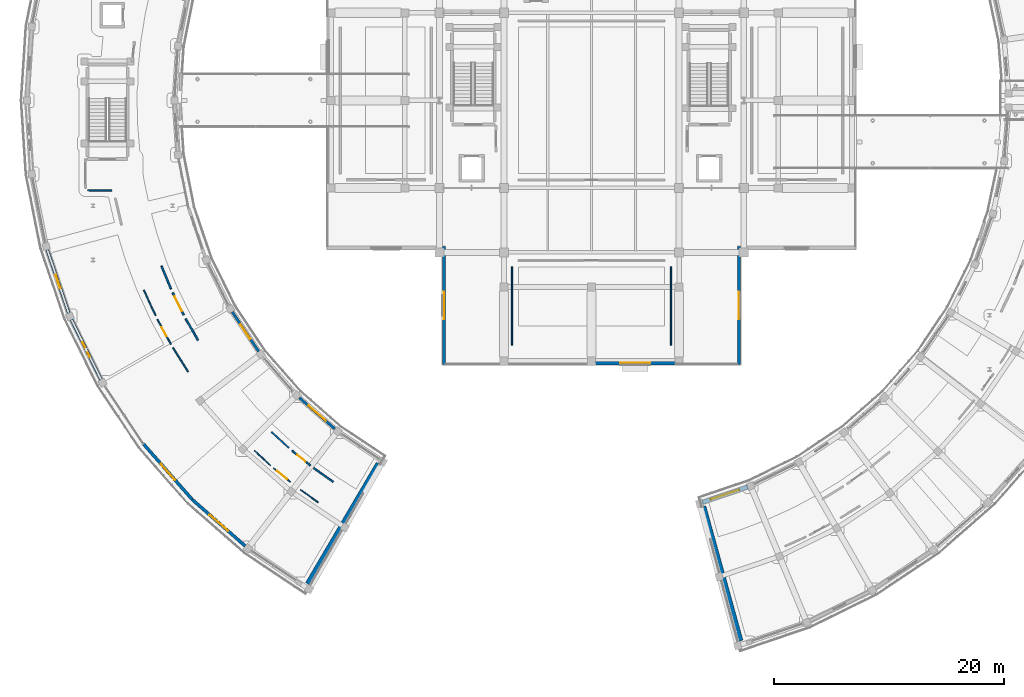
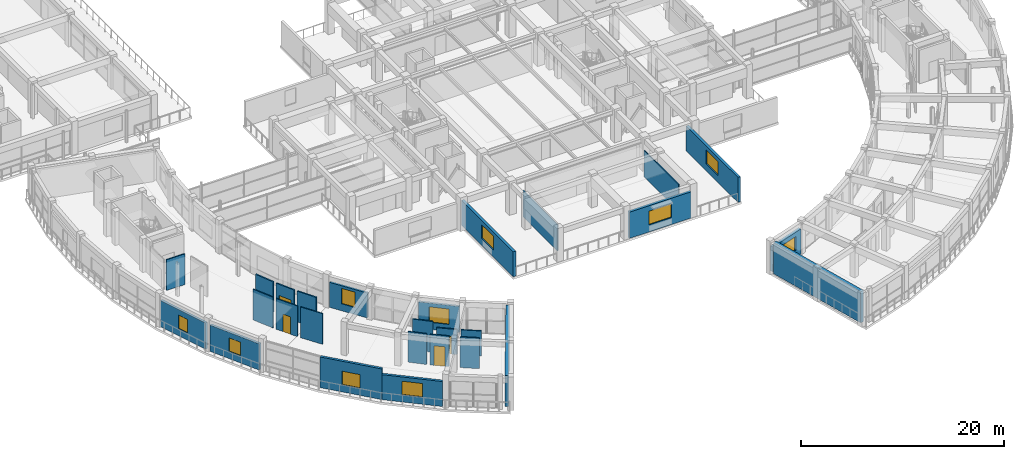
# One storey, part 46 of 70: 27 walls, 10 windows, 4 doors, 14 openings.
"""IFC4 building model written with IfcOpenShell, lengths in metres."""

from ifc_helpers import new_model, si_unit, direction, frame, frame_2d, origin, place, context, subcontext, project, spatial, rectangle, extrude, material, layer, layer_set, type_object, element, fill, save


model = new_model("IFC4")

# Units and contexts
model_context = context("Model", 3, precision=1e-05, world=origin(), true_north=direction((0.0, 1.0)))
body_context = subcontext(model_context, "Body", "Model", "MODEL_VIEW")
ifc_project = project(units=[si_unit("LENGTHUNIT", "METRE"), si_unit("AREAUNIT", "SQUARE_METRE"), si_unit("VOLUMEUNIT", "CUBIC_METRE"), si_unit("PLANEANGLEUNIT", "RADIAN"), si_unit("MASSUNIT", "GRAM", prefix="KILO")], contexts=[model_context])

# Site, building, storey
site_placement = place(None, origin())
site = spatial("IfcSite", under=ifc_project, at=site_placement, CompositionType="ELEMENT")
building_placement = place(site_placement, origin())
building = spatial("IfcBuilding", under=site, at=building_placement, Name="Saryqyr Civic Hall", CompositionType="ELEMENT")
storey_placement = place(building_placement, frame((0.0, 0.0, 13.199951171875)))
storey = spatial("IfcBuildingStorey", under=building, at=storey_placement, Name="L03", CompositionType="ELEMENT", Elevation=13.199951171875)

# Wall, opening, window
ifc_material_1 = material(Name="Precast concrete C40/50", Category="concrete")
ifc_layer_1 = layer(ifc_material_1, 0.219970703125, Name="Precast concrete C40/50")
ifc_layer_set_1 = layer_set([ifc_layer_1], Name="Precast concrete C40/50")
wall_type_1 = type_object("IfcWallType", Name="ENV-WAL-EXT-220", PredefinedType="STANDARD", material=ifc_layer_set_1)
wall_1_placement = place(storey_placement, frame((25.806884765625, 65.6650390625, 0.0), z_axis=(0.0, 0.0, 1.0), x_axis=(0.555551087144, -0.831482404849, 0.0)))
wall_1 = element("IfcWall", 1, at=wall_1_placement, inside=storey, type_object=wall_type_1, Name="Exterior wall V4-EWI-L03-06", PredefinedType="STANDARD", context=body_context, shape_type="SweptSolid", body=[
    extrude(rectangle(XDim=4.169921875, YDim=0.219970703125, at=frame_2d((2.0849609375, 0.0))), origin(), (0.0, 0.0, 1.0), 3.01513671875),
])
opening_1_placement = place(wall_1_placement, frame((1.3349609375, 0.0, 0.85009765625)))
opening_1 = element("IfcOpeningElement", 2, at=opening_1_placement, cuts=wall_1, Name="Opening W-26", PredefinedType="OPENING", context=body_context, shape_type="SweptSolid", body=[
    extrude(rectangle(XDim=1.5, YDim=1.85009765625, at=frame_2d((0.75, 0.925048828125))), frame((0.0, 0.119873046875, 0.0), z_axis=(0.0, -1.0, 0.0), x_axis=(1.0, 0.0, 0.0)), (0.0, 0.0, 1.0), 0.239990234375),
])
ifc_material_2 = material(Name="Anodised aluminium and triple low-E glass", Category="aluminium")
window_type_1 = type_object("IfcWindowType", Name="ENV-WIN-W26", PartitioningType="SINGLE_PANEL", PredefinedType="WINDOW", material=ifc_material_2)
window_1_placement = place(opening_1_placement, origin())
window_1 = element("IfcWindow", 3, at=window_1_placement, inside=storey, type_object=window_type_1, Name="Courtyard window V4-L03-06", OverallHeight=1.85009765625, OverallWidth=1.5, PartitioningType="SINGLE_PANEL", PredefinedType="WINDOW", context=body_context, shape_type="SweptSolid", body=[
    extrude(rectangle(XDim=1.5, YDim=1.85009765625, at=frame_2d((0.75, 0.925048828125))), frame((0.0, 0.030029296875, 0.0), z_axis=(0.0, -1.0, 0.0), x_axis=(1.0, 0.0, 0.0)), (0.0, 0.0, 1.0), 0.06005859375),
])
fill(opening_1, window_1)

wall_2_placement = place(storey_placement, frame((31.6376953125, 58.196533203125, 0.0), z_axis=(0.0, 0.0, 1.0), x_axis=(0.751866047308, -0.659315893108, 0.0)))
wall_2 = element("IfcWall", 4, at=wall_2_placement, inside=storey, type_object=wall_type_1, Name="Exterior wall V4-EWI-L03-08", PredefinedType="STANDARD", context=body_context, shape_type="SweptSolid", body=[
    extrude(rectangle(XDim=4.10986328125, YDim=0.219970703125, at=frame_2d((2.054931640625, 0.0))), origin(), (0.0, 0.0, 1.0), 3.1650390625),
])
opening_2_placement = place(wall_2_placement, frame((1.054931640625, 0.0, 0.85009765625)))
opening_2 = element("IfcOpeningElement", 5, at=opening_2_placement, cuts=wall_2, Name="Opening W-28", PredefinedType="OPENING", context=body_context, shape_type="SweptSolid", body=[
    extrude(rectangle(XDim=2.0, YDim=1.85009765625, at=frame_2d((1.0, 0.925048828125))), frame((0.0, 0.119873046875, 0.0), z_axis=(0.0, -1.0, 0.0), x_axis=(1.0, 0.0, 0.0)), (0.0, 0.0, 1.0), 0.239990234375),
])
window_type_2 = type_object("IfcWindowType", Name="ENV-WIN-W28", PartitioningType="SINGLE_PANEL", PredefinedType="WINDOW", material=ifc_material_2)
window_2_placement = place(opening_2_placement, origin())
window_2 = element("IfcWindow", 6, at=window_2_placement, inside=storey, type_object=window_type_2, Name="Courtyard window V4-L03-08", OverallHeight=1.85009765625, OverallWidth=2.0, PartitioningType="SINGLE_PANEL", PredefinedType="WINDOW", context=body_context, shape_type="SweptSolid", body=[
    extrude(rectangle(XDim=2.0, YDim=1.85009765625, at=frame_2d((1.0, 0.925048828125))), frame((0.0, 0.030029296875, 0.0), z_axis=(0.0, -1.0, 0.0), x_axis=(1.0, 0.0, 0.0)), (0.0, 0.0, 1.0), 0.06005859375),
])
fill(opening_2, window_2)

ifc_layer_2 = layer(ifc_material_1, 0.27001953125, Name="Precast concrete C40/50")
ifc_layer_set_2 = layer_set([ifc_layer_2], Name="Precast concrete C40/50")
wall_type_2 = type_object("IfcWallType", Name="ENV-WAL-EXT-270", PredefinedType="STANDARD", material=ifc_layer_set_2)
wall_3_placement = place(storey_placement, frame((11.650146484375, 65.4833984375, 0.0), z_axis=(0.0, 0.0, 1.0), x_axis=(-0.321412703871, 0.946939213356, 0.0)))
wall_3 = element("IfcWall", 7, at=wall_3_placement, inside=storey, type_object=wall_type_2, Name="Exterior wall V4-EWO-L03-04", PredefinedType="STANDARD", context=body_context, shape_type="SweptSolid", body=[
    extrude(rectangle(XDim=5.913330078125, YDim=0.27001953125, at=frame_2d((2.95654296875, 0.0))), origin(), (0.0, 0.0, 1.0), 3.1650390625),
])
opening_3_placement = place(wall_3_placement, frame((2.35693359375, 0.0, 0.85009765625)))
opening_3 = element("IfcOpeningElement", 8, at=opening_3_placement, cuts=wall_3, Name="Opening W-17", PredefinedType="OPENING", context=body_context, shape_type="SweptSolid", body=[
    extrude(rectangle(XDim=1.199951171875, YDim=1.64990234375, at=frame_2d((0.60009765625, 0.824951171875))), frame((0.0, 0.14501953125, 0.0), z_axis=(0.0, -1.0, 0.0), x_axis=(1.0, 0.0, 0.0)), (0.0, 0.0, 1.0), 0.2900390625),
])
window_type_3 = type_object("IfcWindowType", Name="ENV-WIN-W17", PartitioningType="SINGLE_PANEL", PredefinedType="WINDOW", material=ifc_material_2)
window_3_placement = place(opening_3_placement, origin())
window_3 = element("IfcWindow", 9, at=window_3_placement, inside=storey, type_object=window_type_3, Name="Exterior ribbon window V4-L03-04", OverallHeight=1.64990234375, OverallWidth=1.199951171875, PartitioningType="SINGLE_PANEL", PredefinedType="WINDOW", context=body_context, shape_type="SweptSolid", body=[
    extrude(rectangle(XDim=1.199951171875, YDim=1.64990234375, at=frame_2d((0.60009765625, 0.824951171875))), frame((0.0, 0.030029296875, 0.0), z_axis=(0.0, -1.0, 0.0), x_axis=(1.0, 0.0, 0.0)), (0.0, 0.0, 1.0), 0.06005859375),
])
fill(opening_3, window_3)

wall_4_placement = place(storey_placement, frame((14.448974609375, 59.735107421875, 0.0), z_axis=(0.0, 0.0, 1.0), x_axis=(-0.442328593944, 0.89685306209, 0.0)))
wall_4 = element("IfcWall", 10, at=wall_4_placement, inside=storey, type_object=wall_type_2, Name="Exterior wall V4-EWO-L03-05", PredefinedType="STANDARD", context=body_context, shape_type="SweptSolid", body=[
    extrude(rectangle(XDim=5.885498046875, YDim=0.27001953125, at=frame_2d((2.94287109375, 0.0))), origin(), (0.0, 0.0, 1.0), 3.1650390625),
])
opening_4_placement = place(wall_4_placement, frame((2.242919921875, 0.0, 0.85009765625)))
opening_4 = element("IfcOpeningElement", 11, at=opening_4_placement, cuts=wall_4, Name="Opening W-18", PredefinedType="OPENING", context=body_context, shape_type="SweptSolid", body=[
    extrude(rectangle(XDim=1.39990234375, YDim=1.64990234375, at=frame_2d((0.699951171875, 0.824951171875))), frame((0.0, 0.14501953125, 0.0), z_axis=(0.0, -1.0, 0.0), x_axis=(1.0, 0.0, 0.0)), (0.0, 0.0, 1.0), 0.2900390625),
])
window_type_4 = type_object("IfcWindowType", Name="ENV-WIN-W18", PartitioningType="SINGLE_PANEL", PredefinedType="WINDOW", material=ifc_material_2)
window_4_placement = place(opening_4_placement, origin())
window_4 = element("IfcWindow", 12, at=window_4_placement, inside=storey, type_object=window_type_4, Name="Exterior ribbon window V4-L03-05", OverallHeight=1.64990234375, OverallWidth=1.39990234375, PartitioningType="SINGLE_PANEL", PredefinedType="WINDOW", context=body_context, shape_type="SweptSolid", body=[
    extrude(rectangle(XDim=1.39990234375, YDim=1.64990234375, at=frame_2d((0.699951171875, 0.824951171875))), frame((0.0, 0.030029296875, 0.0), z_axis=(0.0, -1.0, 0.0), x_axis=(1.0, 0.0, 0.0)), (0.0, 0.0, 1.0), 0.06005859375),
])
fill(opening_4, window_4)

wall_5_placement = place(storey_placement, frame((22.351806640625, 49.351806640625, 0.0), z_axis=(0.0, 0.0, 1.0), x_axis=(-0.659350951881, 0.751835302612, 0.0)))
wall_5 = element("IfcWall", 13, at=wall_5_placement, inside=storey, type_object=wall_type_2, Name="Exterior wall V4-EWO-L03-07", PredefinedType="STANDARD", context=body_context, shape_type="SweptSolid", body=[
    extrude(rectangle(XDim=6.409423828125, YDim=0.27001953125, at=frame_2d((3.20458984375, 0.0))), origin(), (0.0, 0.0, 1.0), 3.699951171875),
])
opening_5_placement = place(wall_5_placement, frame((2.280029296875, 0.0, 0.85009765625)))
opening_5 = element("IfcOpeningElement", 14, at=opening_5_placement, cuts=wall_5, Name="Opening W-20", PredefinedType="OPENING", context=body_context, shape_type="SweptSolid", body=[
    extrude(rectangle(XDim=1.85009765625, YDim=1.64990234375, at=frame_2d((0.925048828125, 0.824951171875))), frame((0.0, 0.14501953125, 0.0), z_axis=(0.0, -1.0, 0.0), x_axis=(1.0, 0.0, 0.0)), (0.0, 0.0, 1.0), 0.2900390625),
])
window_type_5 = type_object("IfcWindowType", Name="ENV-WIN-W20", PartitioningType="SINGLE_PANEL", PredefinedType="WINDOW", material=ifc_material_2)
window_5_placement = place(opening_5_placement, origin())
window_5 = element("IfcWindow", 15, at=window_5_placement, inside=storey, type_object=window_type_5, Name="Exterior ribbon window V4-L03-07", OverallHeight=1.64990234375, OverallWidth=1.85009765625, PartitioningType="SINGLE_PANEL", PredefinedType="WINDOW", context=body_context, shape_type="SweptSolid", body=[
    extrude(rectangle(XDim=1.85009765625, YDim=1.64990234375, at=frame_2d((0.925048828125, 0.824951171875))), frame((0.0, 0.030029296875, 0.0), z_axis=(0.0, -1.0, 0.0), x_axis=(1.0, 0.0, 0.0)), (0.0, 0.0, 1.0), 0.06005859375),
])
fill(opening_5, window_5)

wall_6_placement = place(storey_placement, frame((26.935791015625, 45.331787109375, 0.0), z_axis=(0.0, 0.0, 1.0), x_axis=(-0.751841992355, 0.659343323718, 0.0)))
wall_6 = element("IfcWall", 16, at=wall_6_placement, inside=storey, type_object=wall_type_2, Name="Exterior wall V4-EWO-L03-08", PredefinedType="STANDARD", context=body_context, shape_type="SweptSolid", body=[
    extrude(rectangle(XDim=6.096923828125, YDim=0.27001953125, at=frame_2d((3.04833984375, 0.0))), origin(), (0.0, 0.0, 1.0), 3.01513671875),
])
opening_6_placement = place(wall_6_placement, frame((1.998046875, 0.0, 0.85009765625)))
opening_6 = element("IfcOpeningElement", 17, at=opening_6_placement, cuts=wall_6, Name="Opening W-21", PredefinedType="OPENING", context=body_context, shape_type="SweptSolid", body=[
    extrude(rectangle(XDim=2.10009765625, YDim=1.64990234375, at=frame_2d((1.050048828125, 0.824951171875))), frame((0.0, 0.14501953125, 0.0), z_axis=(0.0, -1.0, 0.0), x_axis=(1.0, 0.0, 0.0)), (0.0, 0.0, 1.0), 0.2900390625),
])
window_type_6 = type_object("IfcWindowType", Name="ENV-WIN-W21", PartitioningType="SINGLE_PANEL", PredefinedType="WINDOW", material=ifc_material_2)
window_6_placement = place(opening_6_placement, origin())
window_6 = element("IfcWindow", 18, at=window_6_placement, inside=storey, type_object=window_type_6, Name="Exterior ribbon window V4-L03-08", OverallHeight=1.64990234375, OverallWidth=2.10009765625, PartitioningType="SINGLE_PANEL", PredefinedType="WINDOW", context=body_context, shape_type="SweptSolid", body=[
    extrude(rectangle(XDim=2.10009765625, YDim=1.64990234375, at=frame_2d((1.050048828125, 0.824951171875))), frame((0.0, 0.030029296875, 0.0), z_axis=(0.0, -1.0, 0.0), x_axis=(1.0, 0.0, 0.0)), (0.0, 0.0, 1.0), 0.06005859375),
])
fill(opening_6, window_6)

ifc_layer_3 = layer(ifc_material_1, 0.2900390625, Name="Precast concrete C40/50")
ifc_layer_set_3 = layer_set([ifc_layer_3], Name="Precast concrete C40/50")
wall_type_3 = type_object("IfcWallType", Name="ENV-WAL-EXT-290", PredefinedType="STANDARD", material=ifc_layer_set_3)
wall_7_placement = place(storey_placement, frame((44.199951171875, 61.080078125, 0.0), z_axis=(0.0, 0.0, 1.0), x_axis=(0.0, 1.0, 0.0)))
wall_7 = element("IfcWall", 19, at=wall_7_placement, inside=storey, type_object=wall_type_3, Name="Exterior wall V1-EW-L03-00", PredefinedType="STANDARD", context=body_context, shape_type="SweptSolid", body=[
    extrude(rectangle(XDim=10.239990234375, YDim=0.2900390625, at=frame_2d((5.1201171875, 0.0))), origin(), (0.0, 0.0, 1.0), 3.01513671875),
])
opening_7_placement = place(wall_7_placement, frame((3.945068359375, 0.0, 0.85009765625)))
opening_7 = element("IfcOpeningElement", 20, at=opening_7_placement, cuts=wall_7, Name="Opening W-22", PredefinedType="OPENING", context=body_context, shape_type="SweptSolid", body=[
    extrude(rectangle(XDim=2.35009765625, YDim=1.64990234375, at=frame_2d((1.175048828125, 0.824951171875))), frame((0.0, 0.155029296875, 0.0), z_axis=(0.0, -1.0, 0.0), x_axis=(1.0, 0.0, 0.0)), (0.0, 0.0, 1.0), 0.31005859375),
])
window_type_7 = type_object("IfcWindowType", Name="ENV-WIN-W22", PartitioningType="SINGLE_PANEL", PredefinedType="WINDOW", material=ifc_material_2)
window_7_placement = place(opening_7_placement, origin())
window_7 = element("IfcWindow", 21, at=window_7_placement, inside=storey, type_object=window_type_7, Name="Chamber cluster window L03-00", OverallHeight=1.64990234375, OverallWidth=2.35009765625, PartitioningType="SINGLE_PANEL", PredefinedType="WINDOW", context=body_context, shape_type="SweptSolid", body=[
    extrude(rectangle(XDim=2.35009765625, YDim=1.64990234375, at=frame_2d((1.175048828125, 0.824951171875))), frame((0.0, 0.030029296875, 0.0), z_axis=(0.0, -1.0, 0.0), x_axis=(1.0, 0.0, 0.0)), (0.0, 0.0, 1.0), 0.06005859375),
])
fill(opening_7, window_7)

wall_8_placement = place(storey_placement, frame((69.800048828125, 71.320068359375, 0.0), z_axis=(0.0, 0.0, 1.0), x_axis=(0.0, -1.0, 0.0)))
wall_8 = element("IfcWall", 22, at=wall_8_placement, inside=storey, type_object=wall_type_3, Name="Exterior wall V1-EW-L03-10", PredefinedType="STANDARD", context=body_context, shape_type="SweptSolid", body=[
    extrude(rectangle(XDim=10.239990234375, YDim=0.2900390625, at=frame_2d((5.1201171875, 0.0))), origin(), (0.0, 0.0, 1.0), 3.01513671875),
])
opening_8_placement = place(wall_8_placement, frame((3.945068359375, 0.0, 0.85009765625)))
opening_8 = element("IfcOpeningElement", 23, at=opening_8_placement, cuts=wall_8, Name="Opening W-22", PredefinedType="OPENING", context=body_context, shape_type="SweptSolid", body=[
    extrude(rectangle(XDim=2.35009765625, YDim=1.64990234375, at=frame_2d((1.175048828125, 0.824951171875))), frame((0.0, 0.155029296875, 0.0), z_axis=(0.0, -1.0, 0.0), x_axis=(1.0, 0.0, 0.0)), (0.0, 0.0, 1.0), 0.31005859375),
])
window_8_placement = place(opening_8_placement, origin())
window_8 = element("IfcWindow", 24, at=window_8_placement, inside=storey, type_object=window_type_7, Name="Chamber cluster window L03-10", OverallHeight=1.64990234375, OverallWidth=2.35009765625, PartitioningType="SINGLE_PANEL", PredefinedType="WINDOW", context=body_context, shape_type="SweptSolid", body=[
    extrude(rectangle(XDim=2.35009765625, YDim=1.64990234375, at=frame_2d((1.175048828125, 0.824951171875))), frame((0.0, 0.030029296875, 0.0), z_axis=(0.0, -1.0, 0.0), x_axis=(1.0, 0.0, 0.0)), (0.0, 0.0, 1.0), 0.06005859375),
])
fill(opening_8, window_8)

wall_9_placement = place(storey_placement, frame((64.31494140625, 61.199951171875, 0.0), z_axis=(0.0, 0.0, 1.0), x_axis=(-1.0, 0.0, 0.0)))
wall_9 = element("IfcWall", 25, at=wall_9_placement, inside=storey, type_object=wall_type_3, Name="Exterior wall V1-EW-L03-11", PredefinedType="STANDARD", context=body_context, shape_type="SweptSolid", body=[
    extrude(rectangle(XDim=7.030029296875, YDim=0.2900390625, at=frame_2d((3.51513671875, 0.0))), origin(), (0.0, 0.0, 1.0), 3.1650390625),
])
opening_9_placement = place(wall_9_placement, frame((2.215087890625, 0.0, 0.85009765625)))
opening_9 = element("IfcOpeningElement", 26, at=opening_9_placement, cuts=wall_9, Name="Opening W-23", PredefinedType="OPENING", context=body_context, shape_type="SweptSolid", body=[
    extrude(rectangle(XDim=2.60009765625, YDim=1.64990234375, at=frame_2d((1.300048828125, 0.824951171875))), frame((0.0, 0.155029296875, 0.0), z_axis=(0.0, -1.0, 0.0), x_axis=(1.0, 0.0, 0.0)), (0.0, 0.0, 1.0), 0.31005859375),
])
window_type_8 = type_object("IfcWindowType", Name="ENV-WIN-W23", PartitioningType="SINGLE_PANEL", PredefinedType="WINDOW", material=ifc_material_2)
window_9_placement = place(opening_9_placement, origin())
window_9 = element("IfcWindow", 27, at=window_9_placement, inside=storey, type_object=window_type_8, Name="Chamber cluster window L03-11", OverallHeight=1.64990234375, OverallWidth=2.60009765625, PartitioningType="SINGLE_PANEL", PredefinedType="WINDOW", context=body_context, shape_type="SweptSolid", body=[
    extrude(rectangle(XDim=2.60009765625, YDim=1.64990234375, at=frame_2d((1.300048828125, 0.824951171875))), frame((0.0, 0.030029296875, 0.0), z_axis=(0.0, -1.0, 0.0), x_axis=(1.0, 0.0, 0.0)), (0.0, 0.0, 1.0), 0.06005859375),
])
fill(opening_9, window_9)

ifc_layer_4 = layer(ifc_material_1, 0.340087890625, Name="Precast concrete C40/50")
ifc_layer_set_4 = layer_set([ifc_layer_4], Name="Precast concrete C40/50")
wall_type_4 = type_object("IfcWallType", Name="ENV-WAL-EXT-340", PredefinedType="STANDARD", material=ifc_layer_set_4)
wall_10_placement = place(storey_placement, frame((66.604248046875, 49.113037109375, 0.0), z_axis=(0.0, 0.0, 1.0), x_axis=(0.947212694363, 0.32060585091, 0.0)))
wall_10 = element("IfcWall", 28, at=wall_10_placement, inside=storey, type_object=wall_type_4, Name="Exterior wall V5-EWI-L03-00", PredefinedType="STANDARD", context=body_context, shape_type="SweptSolid", body=[
    extrude(rectangle(XDim=4.17919921875, YDim=0.340087890625, at=frame_2d((2.089599609375, 0.0))), origin(), (0.0, 0.0, 1.0), 3.01513671875),
])
opening_10_placement = place(wall_10_placement, frame((0.7900390625, 0.0, 0.85009765625)))
opening_10 = element("IfcOpeningElement", 29, at=opening_10_placement, cuts=wall_10, Name="Opening W-23", PredefinedType="OPENING", context=body_context, shape_type="SweptSolid", body=[
    extrude(rectangle(XDim=2.60009765625, YDim=1.64990234375, at=frame_2d((1.300048828125, 0.824951171875))), frame((0.0, 0.179931640625, 0.0), z_axis=(0.0, -1.0, 0.0), x_axis=(1.0, 0.0, 0.0)), (0.0, 0.0, 1.0), 0.360107421875),
])
window_10_placement = place(opening_10_placement, origin())
window_10 = element("IfcWindow", 30, at=window_10_placement, inside=storey, type_object=window_type_8, Name="Courtyard window V5-L03-00", OverallHeight=1.64990234375, OverallWidth=2.60009765625, PartitioningType="SINGLE_PANEL", PredefinedType="WINDOW", context=body_context, shape_type="SweptSolid", body=[
    extrude(rectangle(XDim=2.60009765625, YDim=1.64990234375, at=frame_2d((1.300048828125, 0.824951171875))), frame((0.0, 0.030029296875, 0.0), z_axis=(0.0, -1.0, 0.0), x_axis=(1.0, 0.0, 0.0)), (0.0, 0.0, 1.0), 0.06005859375),
])
fill(opening_10, window_10)

# Walls
ifc_material_3 = material(Name="Concrete C40/50", Category="concrete")
ifc_layer_5 = layer(ifc_material_3, 0.3798828125, Name="Concrete C40/50")
ifc_layer_set_5 = layer_set([ifc_layer_5], Name="Concrete C40/50")
wall_type_5 = type_object("IfcWallType", Name="ENV-WAL-PTY-380", PredefinedType="SHEAR", material=ifc_layer_set_5)
for number, where, z_axis, x_axis, name in (
    (31, (38.47705078125, 52.4912109375, 0.0), (0.0, 0.0, 1.0), (-0.506804958987, -0.862060748177, 0.0), "Exterior wall V4-JNTW-B-L03"),
    (32, (69.960205078125, 37.108154296875, 0.0), (0.0, 0.0, 1.0), (-0.266399016259, 0.963862834711, 0.0), "Exterior wall V5-JNTW-A-L03"),
):
    element("IfcWall", number, at=place(storey_placement, frame(where, z_axis=z_axis, x_axis=x_axis)), inside=storey, type_object=wall_type_5, Name=name, PredefinedType="SHEAR", context=body_context, shape_type="SweptSolid", body=[
        extrude(rectangle(XDim=12.099853515625, YDim=0.3798828125, at=frame_2d((6.0498046875, 0.0))), origin(), (0.0, 0.0, 1.0), 3.75),
    ])

# Wall, opening, door
ifc_material_4 = material(Name="Lightweight demountable partition", Category="gypsum")
ifc_layer_6 = layer(ifc_material_4, 0.094970703125, Name="Lightweight demountable partition")
ifc_layer_set_6 = layer_set([ifc_layer_6], Name="Lightweight demountable partition")
wall_type_6 = type_object("IfcWallType", Name="INT-WAL-PRT-095", PredefinedType="PARTITIONING", material=ifc_layer_set_6)
wall_11_placement = place(storey_placement, frame((29.406494140625, 52.078369140625, 0.0), z_axis=(0.0, 0.0, 1.0), x_axis=(0.773784863967, -0.633448485905, 0.0)))
wall_11 = element("IfcWall", 33, at=wall_11_placement, inside=storey, type_object=wall_type_6, Name="Interior partition PRT-SP-V4-L03-R03-W1", PredefinedType="PARTITIONING", context=body_context, shape_type="SweptSolid", body=[
    extrude(rectangle(XDim=1.892822265625, YDim=0.094970703125, at=frame_2d((0.9462890625, 0.0))), origin(), (0.0, 0.0, 1.0), 3.699951171875),
])
opening_11_placement = place(wall_11_placement, frame((0.39599609375, 0.0, 0.0)))
opening_11 = element("IfcOpeningElement", 34, at=opening_11_placement, cuts=wall_11, Name="Opening D-17", PredefinedType="OPENING", context=body_context, shape_type="SweptSolid", body=[
    extrude(rectangle(XDim=1.10009765625, YDim=2.35009765625, at=frame_2d((0.550048828125, 1.175048828125))), frame((0.0, 0.057373046875, 0.0), z_axis=(0.0, -1.0, 0.0), x_axis=(1.0, 0.0, 0.0)), (0.0, 0.0, 1.0), 0.114990234375),
])
ifc_material_5 = material(Name="Acoustic solid-core oak veneer", Category="wood")
door_type_1 = type_object("IfcDoorType", Name="INT-DR-D-17", OperationType="NOTDEFINED", PredefinedType="DOOR", material=ifc_material_5)
door_1_placement = place(opening_11_placement, origin())
door_1 = element("IfcDoor", 35, at=door_1_placement, inside=storey, type_object=door_type_1, Name="Interior door Staff Welfare Tea Point & Accessible MGN WC L03-W", OperationType="SINGLE_SWING_LEFT", OverallHeight=2.35009765625, OverallWidth=1.10009765625, PredefinedType="DOOR", context=body_context, shape_type="SweptSolid", body=[
    extrude(rectangle(XDim=1.10009765625, YDim=2.35009765625, at=frame_2d((0.550048828125, 1.175048828125))), frame((0.0, 0.02490234375, 0.0), z_axis=(0.0, -1.0, 0.0), x_axis=(1.0, 0.0, 0.0)), (0.0, 0.0, 1.0), 0.050048828125),
])
fill(opening_11, door_1)

# Walls
wall_12_placement = place(storey_placement, frame((27.747802734375, 53.602294921875, 0.0), z_axis=(0.0, 0.0, 1.0), x_axis=(0.73299099387, -0.680238342719, 0.0)))
element("IfcWall", 36, at=wall_12_placement, inside=storey, type_object=wall_type_6, Name="Interior partition PRT-SP-V4-L03-R03-W2", PredefinedType="PARTITIONING", context=body_context, shape_type="SweptSolid", body=[
    extrude(rectangle(XDim=1.892822265625, YDim=0.094970703125, at=frame_2d((0.9462890625, 0.0))), origin(), (0.0, 0.0, 1.0), 3.699951171875),
])
wall_13_placement = place(storey_placement, frame((31.7431640625, 50.209716796875, 0.0), z_axis=(0.0, 0.0, 1.0), x_axis=(0.81161017958, -0.584199380693, 0.0)))
element("IfcWall", 37, at=wall_13_placement, inside=storey, type_object=wall_type_6, Name="Interior partition PRT-SP-V4-L03-R03-W3", PredefinedType="PARTITIONING", context=body_context, shape_type="SweptSolid", body=[
    extrude(rectangle(XDim=1.892578125, YDim=0.094970703125, at=frame_2d((0.9462890625, 0.0))), origin(), (0.0, 0.0, 1.0), 3.699951171875),
])

# Wall, opening, door
ifc_material_6 = material(Name="Moisture-resistant gypsum partition", Category="gypsum")
ifc_layer_7 = layer(ifc_material_6, 0.110107421875, Name="Moisture-resistant gypsum partition")
ifc_layer_set_7 = layer_set([ifc_layer_7], Name="Moisture-resistant gypsum partition")
wall_type_7 = type_object("IfcWallType", Name="INT-WAL-PRT-110", PredefinedType="PARTITIONING", material=ifc_layer_set_7)
wall_14_placement = place(storey_placement, frame((19.32861328125, 64.99365234375, 0.0), z_axis=(0.0, 0.0, 1.0), x_axis=(0.476231784028, -0.879319787041, 0.0)))
wall_14 = element("IfcWall", 38, at=wall_14_placement, inside=storey, type_object=wall_type_7, Name="Interior partition PRT-SP-V4-L03-R02-W1", PredefinedType="PARTITIONING", context=body_context, shape_type="SweptSolid", body=[
    extrude(rectangle(XDim=2.449951171875, YDim=0.110107421875, at=frame_2d((1.22509765625, 0.0))), origin(), (0.0, 0.0, 1.0), 3.699951171875),
])
opening_12_placement = place(wall_14_placement, frame((0.77490234375, 0.0, 0.0)))
opening_12 = element("IfcOpeningElement", 39, at=opening_12_placement, cuts=wall_14, Name="Opening D-01", PredefinedType="OPENING", context=body_context, shape_type="SweptSolid", body=[
    extrude(rectangle(XDim=0.89990234375, YDim=2.10009765625, at=frame_2d((0.449951171875, 1.050048828125))), frame((0.0, 0.06494140625, 0.0), z_axis=(0.0, -1.0, 0.0), x_axis=(1.0, 0.0, 0.0)), (0.0, 0.0, 1.0), 0.130126953125),
])
door_type_2 = type_object("IfcDoorType", Name="INT-DR-D-01", OperationType="NOTDEFINED", PredefinedType="DOOR", material=ifc_material_5)
door_2_placement = place(opening_12_placement, origin())
door_2 = element("IfcDoor", 40, at=door_2_placement, inside=storey, type_object=door_type_2, Name="Interior door Environmental Air-Quality Directorate", OperationType="SINGLE_SWING_RIGHT", OverallHeight=2.10009765625, OverallWidth=0.89990234375, PredefinedType="DOOR", context=body_context, shape_type="SweptSolid", body=[
    extrude(rectangle(XDim=0.89990234375, YDim=2.10009765625, at=frame_2d((0.449951171875, 1.050048828125))), frame((0.0, 0.02490234375, 0.0), z_axis=(0.0, -1.0, 0.0), x_axis=(1.0, 0.0, 0.0)), (0.0, 0.0, 1.0), 0.050048828125),
])
fill(opening_12, door_2)

# Walls
for number, where, z_axis, x_axis, name in (
    (41, (18.147216796875, 67.54296875, 0.0), (0.0, 0.0, 1.0), (0.416623829711, -0.909078975951, 0.0), "Interior partition PRT-SP-V4-L03-R02-W2"),
    (42, (20.67724609375, 62.52880859375, 0.0), (0.0, 0.0, 1.0), (0.533621771116, -0.84572324397, 0.0), "Interior partition PRT-SP-V4-L03-R02-W3"),
):
    element("IfcWall", number, at=place(storey_placement, frame(where, z_axis=z_axis, x_axis=x_axis)), inside=storey, type_object=wall_type_7, Name=name, PredefinedType="PARTITIONING", context=body_context, shape_type="SweptSolid", body=[
        extrude(rectangle(XDim=2.449951171875, YDim=0.110107421875, at=frame_2d((1.22509765625, 0.0))), origin(), (0.0, 0.0, 1.0), 3.699951171875),
    ])
for number, where, z_axis, x_axis, name in (
    (43, (63.89990234375, 69.550048828125, 0.0), (0.0, 0.0, 1.0), (0.0, -1.0, 0.0), "Interior partition PRT-SP-V1-L03-R02-W2"),
    (44, (50.10009765625, 62.75, 0.0), (0.0, 0.0, 1.0), (0.0, 1.0, 0.0), "Interior partition PRT-SP-V1-L03-R02-W3"),
):
    element("IfcWall", number, at=place(storey_placement, frame(where, z_axis=z_axis, x_axis=x_axis)), inside=storey, type_object=wall_type_7, Name=name, PredefinedType="PARTITIONING", context=body_context, shape_type="SweptSolid", body=[
        extrude(rectangle(XDim=6.800048828125, YDim=0.110107421875, at=frame_2d((3.39990234375, 0.0))), origin(), (0.0, 0.0, 1.0), 3.1650390625),
    ])
ifc_material_7 = material(Name="Metal-stud gypsum board partition", Category="gypsum")
ifc_layer_8 = layer(ifc_material_7, 0.125, Name="Metal-stud gypsum board partition")
ifc_layer_set_8 = layer_set([ifc_layer_8], Name="Metal-stud gypsum board partition")
wall_type_8 = type_object("IfcWallType", Name="INT-WAL-PRT-125", PredefinedType="PARTITIONING", material=ifc_layer_set_8)
wall_15_placement = place(storey_placement, frame((15.364501953125, 76.181396484375, 0.0), z_axis=(0.0, 0.0, 1.0), x_axis=(-0.999967029155, 0.008120381907, 0.0)))
element("IfcWall", 45, at=wall_15_placement, inside=storey, type_object=wall_type_8, Name="Interior partition PRT-SP-V4-L03-R01-W2", PredefinedType="PARTITIONING", context=body_context, shape_type="SweptSolid", body=[
    extrude(rectangle(XDim=2.1044921875, YDim=0.125, at=frame_2d((1.05224609375, 0.0))), origin(), (0.0, 0.0, 1.0), 3.699951171875),
])

# Wall, opening, door
ifc_layer_9 = layer(ifc_material_7, 0.139892578125, Name="Metal-stud gypsum board partition")
ifc_layer_set_9 = layer_set([ifc_layer_9], Name="Metal-stud gypsum board partition")
wall_type_9 = type_object("IfcWallType", Name="INT-WAL-PRT-140", PredefinedType="PARTITIONING", material=ifc_layer_set_9)
wall_16_placement = place(storey_placement, frame((32.606689453125, 52.30517578125, 0.0), z_axis=(0.0, 0.0, 1.0), x_axis=(-0.776531308722, 0.630078666973, 0.0)))
wall_16 = element("IfcWall", 46, at=wall_16_placement, inside=storey, type_object=wall_type_9, Name="Interior partition PRT-SP-V4-L03-R06-W1", PredefinedType="PARTITIONING", context=body_context, shape_type="SweptSolid", body=[
    extrude(rectangle(XDim=2.05712890625, YDim=0.139892578125, at=frame_2d((1.028564453125, 0.0))), origin(), (0.0, 0.0, 1.0), 3.01513671875),
])
opening_13_placement = place(wall_16_placement, frame((0.577880859375, 0.0, 0.0)))
opening_13 = element("IfcOpeningElement", 47, at=opening_13_placement, cuts=wall_16, Name="Opening D-01", PredefinedType="OPENING", context=body_context, shape_type="SweptSolid", body=[
    extrude(rectangle(XDim=0.89990234375, YDim=2.10009765625, at=frame_2d((0.449951171875, 1.050048828125))), frame((0.0, 0.079833984375, 0.0), z_axis=(0.0, -1.0, 0.0), x_axis=(1.0, 0.0, 0.0)), (0.0, 0.0, 1.0), 0.159912109375),
])
door_3_placement = place(opening_13_placement, origin())
door_3 = element("IfcDoor", 48, at=door_3_placement, inside=storey, type_object=door_type_2, Name="Interior door Digital Archive Scan Room", OperationType="SINGLE_SWING_RIGHT", OverallHeight=2.10009765625, OverallWidth=0.89990234375, PredefinedType="DOOR", context=body_context, shape_type="SweptSolid", body=[
    extrude(rectangle(XDim=0.89990234375, YDim=2.10009765625, at=frame_2d((0.449951171875, 1.050048828125))), frame((0.0, 0.02490234375, 0.0), z_axis=(0.0, -1.0, 0.0), x_axis=(1.0, 0.0, 0.0)), (0.0, 0.0, 1.0), 0.050048828125),
])
fill(opening_13, door_3)

# Walls
wall_17_placement = place(storey_placement, frame((30.73681640625, 53.836181640625, 0.0), z_axis=(0.0, 0.0, 1.0), x_axis=(-0.737006331673, 0.675885838788, 0.0)))
element("IfcWall", 49, at=wall_17_placement, inside=storey, type_object=wall_type_9, Name="Interior partition PRT-SP-V4-L03-R06-W2", PredefinedType="PARTITIONING", context=body_context, shape_type="SweptSolid", body=[
    extrude(rectangle(XDim=2.05712890625, YDim=0.139892578125, at=frame_2d((1.028564453125, 0.0))), origin(), (0.0, 0.0, 1.0), 3.699951171875),
])
wall_18_placement = place(storey_placement, frame((34.5654296875, 50.889892578125, 0.0), z_axis=(0.0, 0.0, 1.0), x_axis=(-0.813203802369, 0.581979016642, 0.0)))
element("IfcWall", 50, at=wall_18_placement, inside=storey, type_object=wall_type_9, Name="Interior partition PRT-SP-V4-L03-R06-W3", PredefinedType="PARTITIONING", context=body_context, shape_type="SweptSolid", body=[
    extrude(rectangle(XDim=2.056884765625, YDim=0.139892578125, at=frame_2d((1.0283203125, 0.0))), origin(), (0.0, 0.0, 1.0), 3.01513671875),
])

# Wall, opening, door
ifc_material_8 = material(Name="Acoustic double-stud gypsum board", Category="gypsum")
ifc_layer_10 = layer(ifc_material_8, 0.155029296875, Name="Acoustic double-stud gypsum board")
ifc_layer_set_10 = layer_set([ifc_layer_10], Name="Acoustic double-stud gypsum board")
wall_type_10 = type_object("IfcWallType", Name="INT-WAL-PRT-155", PredefinedType="PARTITIONING", material=ifc_layer_set_10)
wall_19_placement = place(storey_placement, frame((21.6064453125, 65.375244140625, 0.0), z_axis=(0.0, 0.0, 1.0), x_axis=(-0.441632126949, 0.897196224048, 0.0)))
wall_19 = element("IfcWall", 51, at=wall_19_placement, inside=storey, type_object=wall_type_10, Name="Interior partition PRT-SP-V4-L03-R05-W1", PredefinedType="PARTITIONING", context=body_context, shape_type="SweptSolid", body=[
    extrude(rectangle(XDim=2.155517578125, YDim=0.155029296875, at=frame_2d((1.07763671875, 0.0))), origin(), (0.0, 0.0, 1.0), 3.699951171875),
])
opening_14_placement = place(wall_19_placement, frame((0.3779296875, 0.0, 0.0)))
opening_14 = element("IfcOpeningElement", 52, at=opening_14_placement, cuts=wall_19, Name="Opening D-18", PredefinedType="OPENING", context=body_context, shape_type="SweptSolid", body=[
    extrude(rectangle(XDim=1.39990234375, YDim=2.35009765625, at=frame_2d((0.699951171875, 1.175048828125))), frame((0.0, 0.08740234375, 0.0), z_axis=(0.0, -1.0, 0.0), x_axis=(1.0, 0.0, 0.0)), (0.0, 0.0, 1.0), 0.175048828125),
])
door_type_3 = type_object("IfcDoorType", Name="INT-DR-D-18", OperationType="NOTDEFINED", PredefinedType="DOOR", material=ifc_material_5)
door_4_placement = place(opening_14_placement, origin())
door_4 = element("IfcDoor", 53, at=door_4_placement, inside=storey, type_object=door_type_3, Name="Interior door Traffic Control Modelling Room", OperationType="SINGLE_SWING_LEFT", OverallHeight=2.35009765625, OverallWidth=1.39990234375, PredefinedType="DOOR", context=body_context, shape_type="SweptSolid", body=[
    extrude(rectangle(XDim=1.39990234375, YDim=2.35009765625, at=frame_2d((0.699951171875, 1.175048828125))), frame((0.0, 0.02490234375, 0.0), z_axis=(0.0, -1.0, 0.0), x_axis=(1.0, 0.0, 0.0)), (0.0, 0.0, 1.0), 0.050048828125),
])
fill(opening_14, door_4)

# Walls
wall_20_placement = place(storey_placement, frame((22.847412109375, 63.187255859375, 0.0), z_axis=(0.0, 0.0, 1.0), x_axis=(-0.497272739053, 0.867594273261, 0.0)))
element("IfcWall", 54, at=wall_20_placement, inside=storey, type_object=wall_type_10, Name="Interior partition PRT-SP-V4-L03-R05-W2", PredefinedType="PARTITIONING", context=body_context, shape_type="SweptSolid", body=[
    extrude(rectangle(XDim=2.15576171875, YDim=0.155029296875, at=frame_2d((1.077880859375, 0.0))), origin(), (0.0, 0.0, 1.0), 3.699951171875),
])
wall_21_placement = place(storey_placement, frame((20.505859375, 67.636962890625, 0.0), z_axis=(0.0, 0.0, 1.0), x_axis=(-0.384398239962, 0.923167370044, 0.0)))
element("IfcWall", 55, at=wall_21_placement, inside=storey, type_object=wall_type_10, Name="Interior partition PRT-SP-V4-L03-R05-W3", PredefinedType="PARTITIONING", context=body_context, shape_type="SweptSolid", body=[
    extrude(rectangle(XDim=2.155517578125, YDim=0.155029296875, at=frame_2d((1.07763671875, 0.0))), origin(), (0.0, 0.0, 1.0), 3.699951171875),
])

save(model, "model.ifc")
